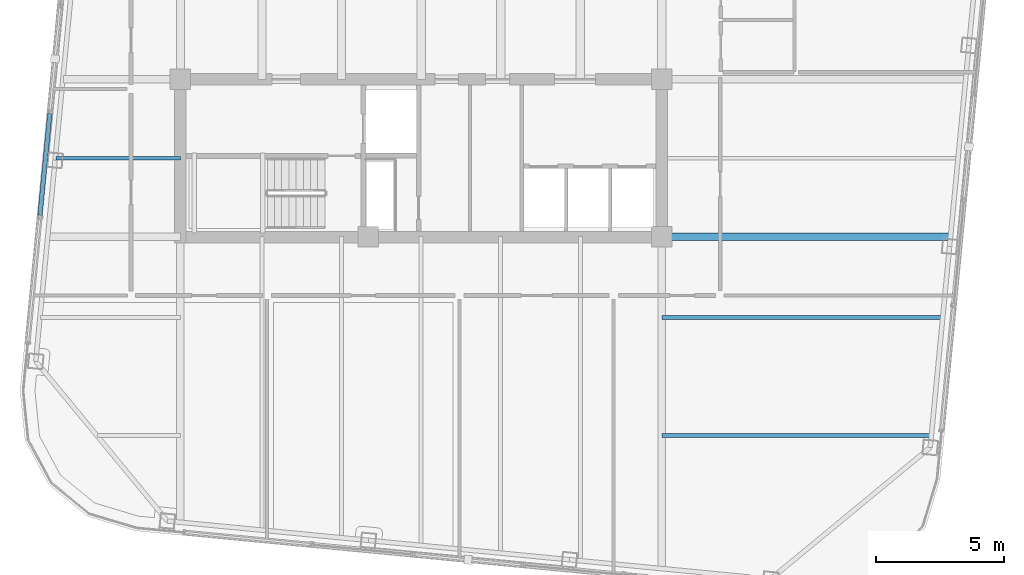
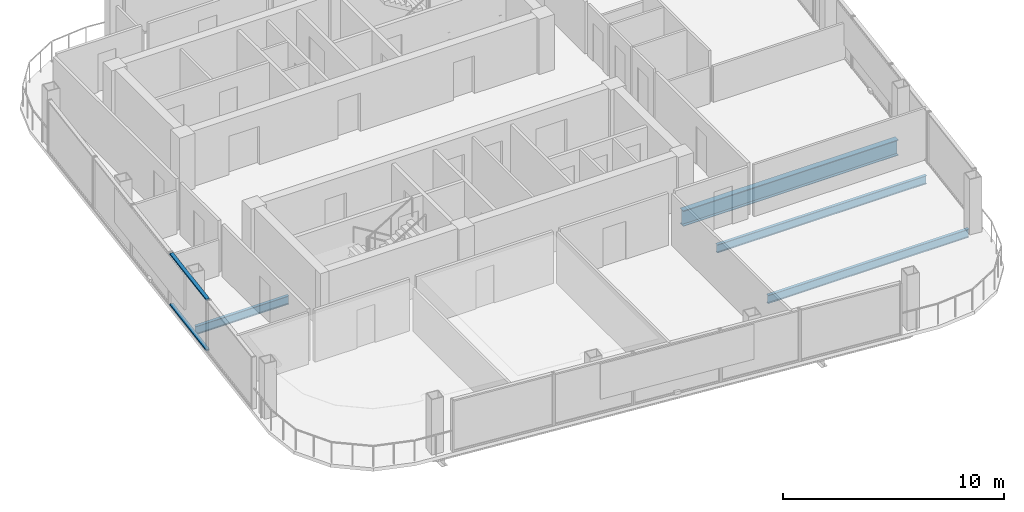
# One storey, part 6 of 23: 4 beams, 2 members, 1 element without a shape of its own.
"""IFC4 building model written with IfcOpenShell, lengths in metres."""

from ifc_helpers import new_model, si_unit, direction, frame, origin, origin_2d, place, context, subcontext, project, spatial, hollow_rectangle, i_section, extrude, material, layer, layer_set, material_profile, profile_set, type_object, element, aggregate, save


model = new_model("IFC4")

# Units and contexts
model_context = context("Model", 3, precision=1e-05, world=origin(), true_north=direction((0.0, 1.0)))
body_context = subcontext(model_context, "Body", "Model", "MODEL_VIEW")
ifc_project = project(units=[si_unit("LENGTHUNIT", "METRE"), si_unit("AREAUNIT", "SQUARE_METRE"), si_unit("VOLUMEUNIT", "CUBIC_METRE"), si_unit("PLANEANGLEUNIT", "RADIAN"), si_unit("MASSUNIT", "GRAM", prefix="KILO")], contexts=[model_context])

# Site, building, storey
site_placement = place(None, origin())
site = spatial("IfcSite", under=ifc_project, at=site_placement, CompositionType="ELEMENT")
building_placement = place(site_placement, origin())
building = spatial("IfcBuilding", under=site, at=building_placement, Name="Qhalaya Broadcast Tower", CompositionType="ELEMENT")
storey_placement = place(building_placement, frame((0.0, 0.0, 264.199951171875)))
storey = spatial("IfcBuildingStorey", under=building, at=storey_placement, Name="L78", CompositionType="ELEMENT", Elevation=264.199951171875)

# Beams
ifc_material_1 = material(Name="Structural Steel ASTM A992 Grade 50", Category="steel")
ifc_material_profile_1 = material_profile(ifc_material_1, i_section(OverallWidth=0.154052734375, OverallDepth=0.458984375, WebThickness=0.009033203125, FlangeThickness=0.015380859375, at=origin_2d()), Name="W18X46")
ifc_profile_set_1 = profile_set([ifc_material_profile_1], Name="Structural Steel ASTM A992 Grade 50")
beam_type_1 = type_object("IfcBeamType", Name="Composite Floor Joist J04", PredefinedType="JOIST", material=ifc_profile_set_1)
beam_1_placement = place(storey_placement, frame((9.375, -16.5, -0.41943359375), z_axis=(1.0, 0.0, 0.0), x_axis=(0.0, 1.0, 0.0)))
element("IfcBeam", 1, at=beam_1_placement, inside=storey, type_object=beam_type_1, Name="L78 J04 L78-JWE1E-1", PredefinedType="JOIST", context=body_context, shape_type="SweptSolid", body=[
    extrude(i_section(OverallWidth=0.154052734375, OverallDepth=0.458984375, WebThickness=0.009033203125, FlangeThickness=0.015380859375, at=origin_2d()), origin(), (0.0, 0.0, 1.0), 10.47802734375),
])
beam_2_placement = place(storey_placement, frame((9.375, -11.89990234375, -0.41943359375), z_axis=(1.0, 0.0, 0.0), x_axis=(0.0, 1.0, 0.0)))
element("IfcBeam", 2, at=beam_2_placement, inside=storey, type_object=beam_type_1, Name="L78 J04 L78-JWE2E-1", PredefinedType="JOIST", context=body_context, shape_type="SweptSolid", body=[
    extrude(i_section(OverallWidth=0.154052734375, OverallDepth=0.458984375, WebThickness=0.009033203125, FlangeThickness=0.015380859375, at=origin_2d()), origin(), (0.0, 0.0, 1.0), 10.9208984375),
])
beam_3_placement = place(storey_placement, frame((-14.228759765625, -5.699951171875, -0.41943359375), z_axis=(1.0, 0.0, 0.0), x_axis=(0.0, 1.0, 0.0)))
element("IfcBeam", 3, at=beam_3_placement, inside=storey, type_object=beam_type_1, Name="L78 J04 L78-JWE3W-1", PredefinedType="JOIST", context=body_context, shape_type="SweptSolid", body=[
    extrude(i_section(OverallWidth=0.154052734375, OverallDepth=0.458984375, WebThickness=0.009033203125, FlangeThickness=0.015380859375, at=origin_2d()), origin(), (0.0, 0.0, 1.0), 4.853759765625),
])

# Curtain wall, members
ifc_material_2 = material(Name="Solar-Control Low-E Triple Glazing", Category="glass")
ifc_layer = layer(ifc_material_2, 0.219970703125, Name="Solar-Control Low-E Triple Glazing")
ifc_layer_set = layer_set([ifc_layer], Name="Solar-Control Low-E Triple Glazing")
curtain_wall_type = type_object("IfcCurtainWallType", Name="High-Altitude Upper-Shaft Triple Low-E Curtain Wall CW-04", PredefinedType="NOTDEFINED", material=ifc_layer_set)
curtain_wall_placement = place(storey_placement, origin())
curtain_wall = element("IfcCurtainWall", 4, at=curtain_wall_placement, inside=storey, type_object=curtain_wall_type, Name="L78 Unitised Curtain Wall L78-CW-W4", PredefinedType="NOTDEFINED")
ifc_material_3 = material(Name="Anodised Aluminium 6063-T6", Category="aluminium")
ifc_material_profile_2 = material_profile(ifc_material_3, hollow_rectangle(XDim=0.074951171875, YDim=0.179931640625, WallThickness=0.00390625, at=origin_2d()), Name="ALU-TRN 75x180x4")
ifc_profile_set_2 = profile_set([ifc_material_profile_2], Name="Anodised Aluminium 6063-T6")
member_type = type_object("IfcMemberType", Name="Unitised Curtain-Wall Transom T01", PredefinedType="USERDEFINED", material=ifc_profile_set_2)
member_1_placement = place(storey_placement, frame((-14.463134765625, -3.95947265625, 0.03759765625), z_axis=(-0.095877212213, -0.995393168642, 0.0), x_axis=(0.0, 0.0, 1.0)))
member_1 = element("IfcMember", 5, at=member_1_placement, type_object=member_type, Name="CW-04 transom 1.1", ObjectType="TRANSOM", PredefinedType="USERDEFINED", context=body_context, shape_type="SweptSolid", body=[
    extrude(hollow_rectangle(XDim=0.074951171875, YDim=0.179931640625, WallThickness=0.00390625, at=origin_2d()), origin(), (0.0, 0.0, 1.0), 3.97998046875),
])
member_2_placement = place(storey_placement, frame((-14.463134765625, -3.95947265625, 2.822509765625), z_axis=(-0.095877212213, -0.995393168642, 0.0), x_axis=(0.0, 0.0, 1.0)))
member_2 = element("IfcMember", 6, at=member_2_placement, type_object=member_type, Name="CW-04 transom 1.2", ObjectType="TRANSOM", PredefinedType="USERDEFINED", context=body_context, shape_type="SweptSolid", body=[
    extrude(hollow_rectangle(XDim=0.074951171875, YDim=0.179931640625, WallThickness=0.00390625, at=origin_2d()), origin(), (0.0, 0.0, 1.0), 3.97998046875),
])
aggregate(curtain_wall, [member_1, member_2])

# Beam
ifc_material_profile_3 = material_profile(ifc_material_1, i_section(OverallWidth=0.2919921875, OverallDepth=0.85888671875, WebThickness=0.01708984375, FlangeThickness=0.031005859375, at=origin_2d()), Name="W33X169")
ifc_profile_set_3 = profile_set([ifc_material_profile_3], Name="Structural Steel ASTM A992 Grade 50")
beam_type_2 = type_object("IfcBeamType", Name="Upper Block Primary Girder PG4", PredefinedType="USERDEFINED", material=ifc_profile_set_3)
beam_4_placement = place(storey_placement, frame((9.375, -8.75, -0.619384765625), z_axis=(1.0, 0.0, 0.0), x_axis=(0.0, 1.0, 0.0)))
element("IfcBeam", 7, at=beam_4_placement, inside=storey, type_object=beam_type_2, Name="L78 PG4 L78-PGYE1-1", ObjectType="GIRDER", PredefinedType="USERDEFINED", context=body_context, shape_type="SweptSolid", body=[
    extrude(i_section(OverallWidth=0.2919921875, OverallDepth=0.85888671875, WebThickness=0.01708984375, FlangeThickness=0.031005859375, at=origin_2d()), origin(), (0.0, 0.0, 1.0), 11.22412109375),
])

save(model, "model.ifc")
